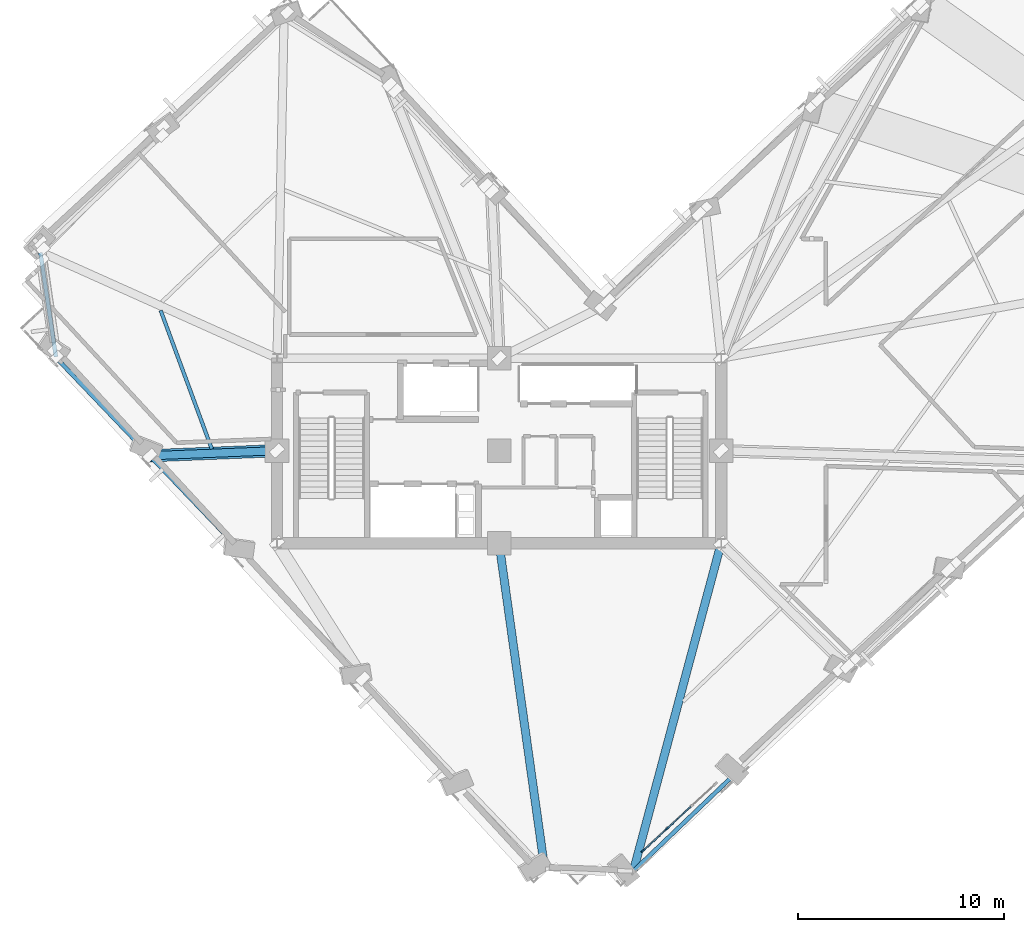
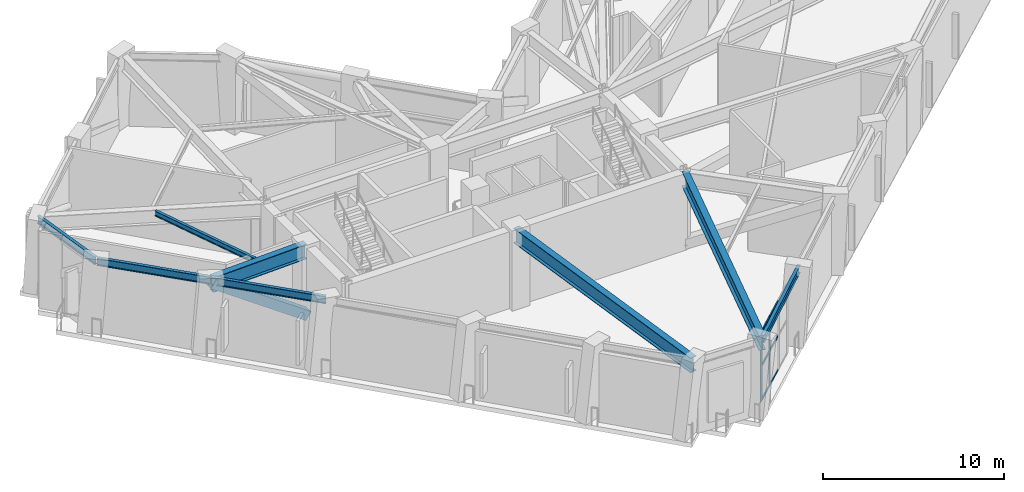
# One storey, part 2 of 15: 9 members, 8 beams, 1 element without a shape of its own.
"""IFC4 building model written with IfcOpenShell, lengths in metres."""

from ifc_helpers import new_model, si_unit, direction, frame, origin, origin_2d, place, context, subcontext, project, spatial, rectangle, hollow_rectangle, i_section, extrude, material, material_profile, profile_set, type_object, element, aggregate, save


model = new_model("IFC4")

# Units and contexts
model_context = context("Model", 3, precision=1e-05, world=origin(), true_north=direction((0.0, 1.0)))
body_context = subcontext(model_context, "Body", "Model", "MODEL_VIEW")
ifc_project = project(units=[si_unit("LENGTHUNIT", "METRE"), si_unit("AREAUNIT", "SQUARE_METRE"), si_unit("VOLUMEUNIT", "CUBIC_METRE"), si_unit("PLANEANGLEUNIT", "RADIAN"), si_unit("MASSUNIT", "GRAM", prefix="KILO")], contexts=[model_context])

# Site, building, storey
site_placement = place(None, origin())
site = spatial("IfcSite", under=ifc_project, at=site_placement, CompositionType="ELEMENT")
building_placement = place(site_placement, origin())
building = spatial("IfcBuilding", under=site, at=building_placement, Name="Gaonmaruhae Medical Tower", CompositionType="ELEMENT")
storey_placement = place(building_placement, frame((0.0, 0.0, 205.800048828125)))
storey = spatial("IfcBuildingStorey", under=building, at=storey_placement, Name="L49", CompositionType="ELEMENT", Elevation=205.800048828125)

# Beams
ifc_material_1 = material(Name="Steel SM420", Category="steel")
ifc_material_profile_1 = material_profile(ifc_material_1, i_section(OverallWidth=0.39990234375, OverallDepth=1.0, WebThickness=0.02197265625, FlangeThickness=0.035888671875, at=origin_2d()), Name="BH-1000x400x22x36")
ifc_profile_set_1 = profile_set([ifc_material_profile_1], Name="Steel SM420")
beam_type_1 = type_object("IfcBeamType", Name="BG-02 Refuge Floor Primary Girder (BH-1000x400x22x36)", PredefinedType="BEAM", material=ifc_profile_set_1)
beam_1_placement = place(storey_placement, frame((35.587158203125, 7.751708984375, 4.679931640625), z_axis=(-0.25860639911, -0.965982779525, 0.0), x_axis=(0.965982779525, -0.25860639911, 0.0)))
element("IfcBeam", 1, at=beam_1_placement, inside=storey, type_object=beam_type_1, Name="L49 Radial Primary Girder S01", PredefinedType="BEAM", context=body_context, shape_type="SweptSolid", body=[
    extrude(i_section(OverallWidth=0.39990234375, OverallDepth=1.0, WebThickness=0.02197265625, FlangeThickness=0.035888671875, at=origin_2d()), origin(), (0.0, 0.0, 1.0), 16.405029296875),
])
beam_2_placement = place(storey_placement, frame((13.949951171875, 12.298095703125, 4.679931640625), z_axis=(-0.999201406805, -0.039956834694, 0.0), x_axis=(0.039956834694, -0.999201406805, 0.0)))
element("IfcBeam", 2, at=beam_2_placement, inside=storey, type_object=beam_type_1, Name="L49 Radial Primary Girder W02", PredefinedType="BEAM", context=body_context, shape_type="SweptSolid", body=[
    extrude(i_section(OverallWidth=0.39990234375, OverallDepth=1.0, WebThickness=0.02197265625, FlangeThickness=0.035888671875, at=origin_2d()), origin(), (0.0, 0.0, 1.0), 6.091796875),
])
beam_3_placement = place(storey_placement, frame((24.806884765625, 7.75048828125, 4.679931640625), z_axis=(0.138712298085, -0.990332721039, 0.0), x_axis=(0.990332721039, 0.138712298085, 0.0)))
element("IfcBeam", 3, at=beam_3_placement, inside=storey, type_object=beam_type_1, Name="L49 Radial Primary Girder W06", PredefinedType="BEAM", context=body_context, shape_type="SweptSolid", body=[
    extrude(i_section(OverallWidth=0.39990234375, OverallDepth=1.0, WebThickness=0.02197265625, FlangeThickness=0.035888671875, at=origin_2d()), origin(), (0.0, 0.0, 1.0), 15.900390625),
])

# Curtain wall, members
ifc_material_2 = material(Name="Anodised aluminium and Low-E double glazing", Category="aluminium")
curtain_wall_type = type_object("IfcCurtainWallType", Name="CW-S2 Express Sky Lobby Feature Curtain Wall", PredefinedType="NOTDEFINED", material=ifc_material_2)
curtain_wall_placement = place(storey_placement, origin())
curtain_wall = element("IfcCurtainWall", 4, at=curtain_wall_placement, inside=storey, type_object=curtain_wall_type, Name="L49 Curtain Wall CW-L49-S01", PredefinedType="NOTDEFINED")
ifc_material_3 = material(Name="Anodised aluminium 6063-T6", Category="aluminium")
ifc_material_profile_2 = material_profile(ifc_material_3, rectangle(XDim=0.074951171875, YDim=0.219970703125, at=origin_2d()), Name="CWM-75x220")
ifc_profile_set_2 = profile_set([ifc_material_profile_2], Name="Anodised aluminium 6063-T6")
member_type_1 = type_object("IfcMemberType", Name="CWM-1 Heavy Atrium Curtain Wall Mullion (CWM-75x220)", PredefinedType="MULLION", material=ifc_profile_set_2)
member_1_placement = place(storey_placement, frame((32.96875, -6.08349609375, 0.0), z_axis=(0.0, 0.0, 1.0), x_axis=(0.678803737119, -0.734319744031, 0.0)))
member_1 = element("IfcMember", 5, at=member_1_placement, type_object=member_type_1, Name="CW-S2 mullion 3", PredefinedType="MULLION", context=body_context, shape_type="SweptSolid", body=[
    extrude(rectangle(XDim=0.074951171875, YDim=0.219970703125, at=origin_2d()), origin(), (0.0, 0.0, 1.0), 4.6650390625),
])
member_2_placement = place(storey_placement, frame((31.80859375, -7.156005859375, 0.0), z_axis=(0.0, 0.0, 1.0), x_axis=(0.678803737119, -0.734319744031, 0.0)))
member_2 = element("IfcMember", 6, at=member_2_placement, type_object=member_type_1, Name="CW-S2 mullion 4", PredefinedType="MULLION", context=body_context, shape_type="SweptSolid", body=[
    extrude(rectangle(XDim=0.074951171875, YDim=0.219970703125, at=origin_2d()), origin(), (0.0, 0.0, 1.0), 4.6650390625),
])
ifc_material_profile_3 = material_profile(ifc_material_3, rectangle(XDim=0.06494140625, YDim=0.139892578125, at=origin_2d()), Name="CWT-65x140")
ifc_profile_set_3 = profile_set([ifc_material_profile_3], Name="Anodised aluminium 6063-T6")
member_type_2 = type_object("IfcMemberType", Name="CWT-2 Tower Feature Curtain Wall Transom (CWT-65x140)", PredefinedType="USERDEFINED", material=ifc_profile_set_3)
member_3_placement = place(storey_placement, frame((34.129150390625, -5.010986328125, 0.032470703125), z_axis=(-0.734336068507, -0.678786077118, 0.0), x_axis=(0.678786077118, -0.734336068507, 0.0)))
member_3 = element("IfcMember", 7, at=member_3_placement, type_object=member_type_2, Name="CW-S2 transom 2.1", ObjectType="TRANSOM", PredefinedType="USERDEFINED", context=body_context, shape_type="SweptSolid", body=[
    extrude(rectangle(XDim=0.06494140625, YDim=0.139892578125, at=origin_2d()), origin(), (0.0, 0.0, 1.0), 1.542724609375),
])
member_4_placement = place(storey_placement, frame((34.129150390625, -5.010986328125, 2.33251953125), z_axis=(-0.734336068507, -0.678786077118, 0.0), x_axis=(0.678786077118, -0.734336068507, 0.0)))
member_4 = element("IfcMember", 8, at=member_4_placement, type_object=member_type_2, Name="CW-S2 transom 2.2", ObjectType="TRANSOM", PredefinedType="USERDEFINED", context=body_context, shape_type="SweptSolid", body=[
    extrude(rectangle(XDim=0.06494140625, YDim=0.139892578125, at=origin_2d()), origin(), (0.0, 0.0, 1.0), 1.542724609375),
])
member_5_placement = place(storey_placement, frame((34.129150390625, -5.010986328125, 4.632568359375), z_axis=(-0.734336068507, -0.678786077118, 0.0), x_axis=(0.678786077118, -0.734336068507, 0.0)))
member_5 = element("IfcMember", 9, at=member_5_placement, type_object=member_type_2, Name="CW-S2 transom 2.3", ObjectType="TRANSOM", PredefinedType="USERDEFINED", context=body_context, shape_type="SweptSolid", body=[
    extrude(rectangle(XDim=0.06494140625, YDim=0.139892578125, at=origin_2d()), origin(), (0.0, 0.0, 1.0), 1.542724609375),
])
member_6_placement = place(storey_placement, frame((32.941162109375, -6.10888671875, 0.032470703125), z_axis=(-0.734224769391, -0.678906464848, 0.0), x_axis=(0.678906464848, -0.734224769391, 0.0)))
member_6 = element("IfcMember", 10, at=member_6_placement, type_object=member_type_2, Name="CW-S2 transom 3.1", ObjectType="TRANSOM", PredefinedType="USERDEFINED", context=body_context, shape_type="SweptSolid", body=[
    extrude(rectangle(XDim=0.06494140625, YDim=0.139892578125, at=origin_2d()), origin(), (0.0, 0.0, 1.0), 1.5048828125),
])
member_7_placement = place(storey_placement, frame((32.941162109375, -6.10888671875, 2.33251953125), z_axis=(-0.734224769391, -0.678906464848, 0.0), x_axis=(0.678906464848, -0.734224769391, 0.0)))
member_7 = element("IfcMember", 11, at=member_7_placement, type_object=member_type_2, Name="CW-S2 transom 3.2", ObjectType="TRANSOM", PredefinedType="USERDEFINED", context=body_context, shape_type="SweptSolid", body=[
    extrude(rectangle(XDim=0.06494140625, YDim=0.139892578125, at=origin_2d()), origin(), (0.0, 0.0, 1.0), 1.5048828125),
])
member_8_placement = place(storey_placement, frame((32.941162109375, -6.10888671875, 4.632568359375), z_axis=(-0.734224769391, -0.678906464848, 0.0), x_axis=(0.678906464848, -0.734224769391, 0.0)))
member_8 = element("IfcMember", 12, at=member_8_placement, type_object=member_type_2, Name="CW-S2 transom 3.3", ObjectType="TRANSOM", PredefinedType="USERDEFINED", context=body_context, shape_type="SweptSolid", body=[
    extrude(rectangle(XDim=0.06494140625, YDim=0.139892578125, at=origin_2d()), origin(), (0.0, 0.0, 1.0), 1.5048828125),
])
aggregate(curtain_wall, [member_1, member_2, member_3, member_4, member_5, member_6, member_7, member_8])

# Beam
ifc_material_4 = material(Name="Steel SM355", Category="steel")
ifc_material_profile_4 = material_profile(ifc_material_4, i_section(OverallWidth=0.175048828125, OverallDepth=0.35009765625, WebThickness=0.007080078125, FlangeThickness=0.010986328125, FilletRadius=0.012939453125, at=origin_2d()), Name="H-350x175x7x11")
ifc_profile_set_4 = profile_set([ifc_material_profile_4], Name="Steel SM355")
beam_type_2 = type_object("IfcBeamType", Name="FJ-02 Upper Zone Ward Floor Joist (H-350x175x7x11)", PredefinedType="JOIST", material=ifc_profile_set_4)
beam_4_placement = place(storey_placement, frame((8.342041015625, 19.116455078125, 5.0048828125), z_axis=(0.346615682293, -0.938007232802, 0.0), x_axis=(0.938007232802, 0.346615682293, 0.0)))
element("IfcBeam", 13, at=beam_4_placement, inside=storey, type_object=beam_type_2, Name="L49 Secondary Floor Joist FJ11", PredefinedType="JOIST", context=body_context, shape_type="SweptSolid", body=[
    extrude(i_section(OverallWidth=0.175048828125, OverallDepth=0.35009765625, WebThickness=0.007080078125, FlangeThickness=0.010986328125, FilletRadius=0.012939453125, at=origin_2d()), origin(), (0.0, 0.0, 1.0), 7.182373046875),
])

# Member
ifc_material_5 = material(Name="Steel HSA650 (650 MPa)", Category="steel")
ifc_material_profile_5 = material_profile(ifc_material_5, hollow_rectangle(XDim=0.60009765625, YDim=0.60009765625, WallThickness=0.028076171875, at=origin_2d()), Name="RHS-600x600x28")
ifc_profile_set_5 = profile_set([ifc_material_profile_5], Name="Steel HSA650 (650 MPa)")
member_type_3 = type_object("IfcMemberType", Name="OT-D2 Outrigger Truss Diagonal Upper (RHS-600x600x28)", PredefinedType="BRACE", material=ifc_profile_set_5)
member_9_placement = place(storey_placement, frame((14.0, 12.300048828125, 0.349853515625), z_axis=(-0.809534690166, -0.032359665423, 0.586179526657), x_axis=(0.039941269651, -0.999202029111, 0.0)))
element("IfcMember", 14, at=member_9_placement, inside=storey, type_object=member_type_3, Name="L49 Outrigger Truss Diagonal OTD07", PredefinedType="BRACE", context=body_context, shape_type="SweptSolid", body=[
    extrude(hollow_rectangle(XDim=0.60009765625, YDim=0.60009765625, WallThickness=0.028076171875, at=origin_2d()), origin(), (0.0, 0.0, 1.0), 7.642578125),
])

# Beams
ifc_material_profile_6 = material_profile(ifc_material_4, i_section(OverallWidth=0.199951171875, OverallDepth=0.5, WebThickness=0.010009765625, FlangeThickness=0.01611328125, FilletRadius=0.012939453125, at=origin_2d()), Name="H-500x200x10x16")
ifc_profile_set_6 = profile_set([ifc_material_profile_6], Name="Steel SM355")
beam_type_3 = type_object("IfcBeamType", Name="SP-02 Upper Perimeter Spandrel Beam (H-500x200x10x16)", PredefinedType="SPANDREL", material=ifc_profile_set_6)
beam_5_placement = place(storey_placement, frame((31.360595703125, -8.115966796875, 4.929931640625), z_axis=(0.722971661417, 0.690877685838, 0.0), x_axis=(-0.690877685838, 0.722971661417, 0.0)))
element("IfcBeam", 15, at=beam_5_placement, inside=storey, type_object=beam_type_3, Name="L49 Perimeter Spandrel Beam S01-S02", PredefinedType="SPANDREL", context=body_context, shape_type="SweptSolid", body=[
    extrude(i_section(OverallWidth=0.199951171875, OverallDepth=0.5, WebThickness=0.010009765625, FlangeThickness=0.01611328125, FilletRadius=0.012939453125, at=origin_2d()), origin(), (0.0, 0.0, 1.0), 7.1201171875),
])
beam_6_placement = place(storey_placement, frame((2.49169921875, 21.93017578125, 4.929931640625), z_axis=(0.14751765755, -0.989059422235, 0.0), x_axis=(0.989059422235, 0.14751765755, 0.0)))
element("IfcBeam", 16, at=beam_6_placement, inside=storey, type_object=beam_type_3, Name="L49 Perimeter Spandrel Beam N03-W01", PredefinedType="SPANDREL", context=body_context, shape_type="SweptSolid", body=[
    extrude(i_section(OverallWidth=0.199951171875, OverallDepth=0.5, WebThickness=0.010009765625, FlangeThickness=0.01611328125, FilletRadius=0.012939453125, at=origin_2d()), origin(), (0.0, 0.0, 1.0), 5.122314453125),
])
beam_7_placement = place(storey_placement, frame((3.28076171875, 16.79541015625, 4.929931640625), z_axis=(0.690898656495, -0.722951621102, 0.0), x_axis=(0.722951621102, 0.690898656495, 0.0)))
element("IfcBeam", 17, at=beam_7_placement, inside=storey, type_object=beam_type_3, Name="L49 Perimeter Spandrel Beam W01-W02", PredefinedType="SPANDREL", context=body_context, shape_type="SweptSolid", body=[
    extrude(i_section(OverallWidth=0.199951171875, OverallDepth=0.5, WebThickness=0.010009765625, FlangeThickness=0.01611328125, FilletRadius=0.012939453125, at=origin_2d()), origin(), (0.0, 0.0, 1.0), 6.52001953125),
])
beam_8_placement = place(storey_placement, frame((7.840576171875, 12.02392578125, 4.929931640625), z_axis=(0.690871583978, -0.722977492355, 0.0), x_axis=(0.722977492355, 0.690871583978, 0.0)))
element("IfcBeam", 18, at=beam_8_placement, inside=storey, type_object=beam_type_3, Name="L49 Perimeter Spandrel Beam W02-W03", PredefinedType="SPANDREL", context=body_context, shape_type="SweptSolid", body=[
    extrude(i_section(OverallWidth=0.199951171875, OverallDepth=0.5, WebThickness=0.010009765625, FlangeThickness=0.01611328125, FilletRadius=0.012939453125, at=origin_2d()), origin(), (0.0, 0.0, 1.0), 6.570068359375),
])

save(model, "model.ifc")
